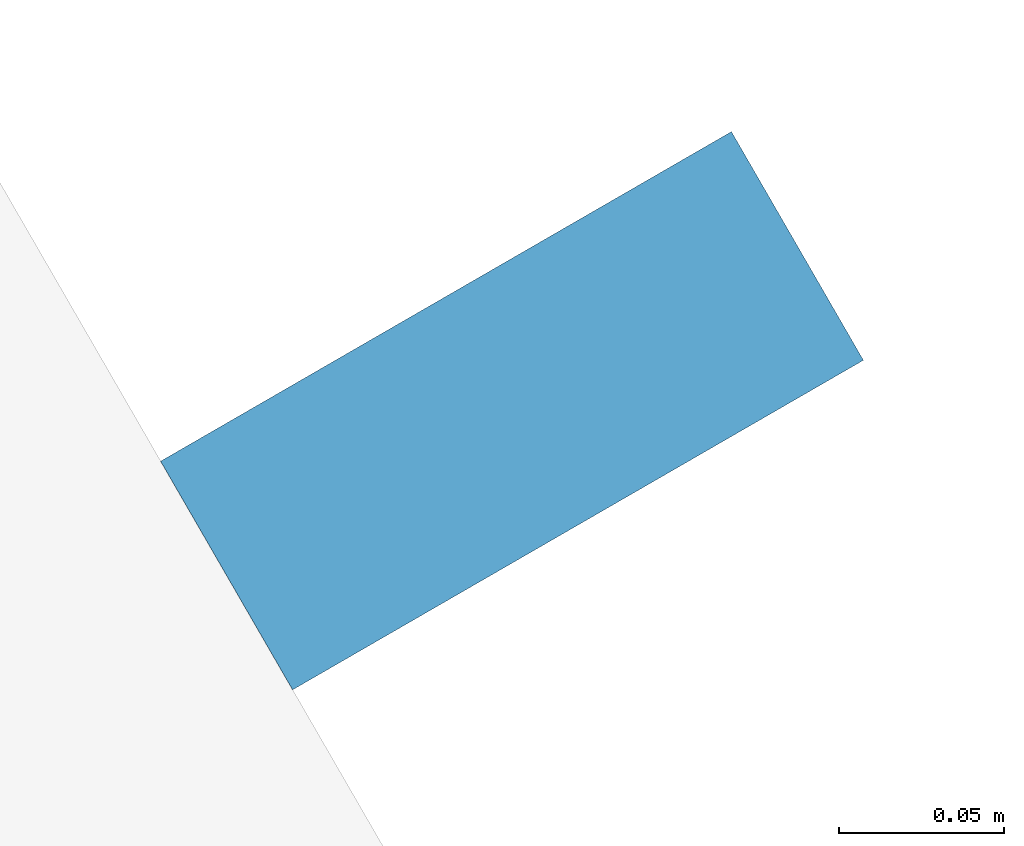
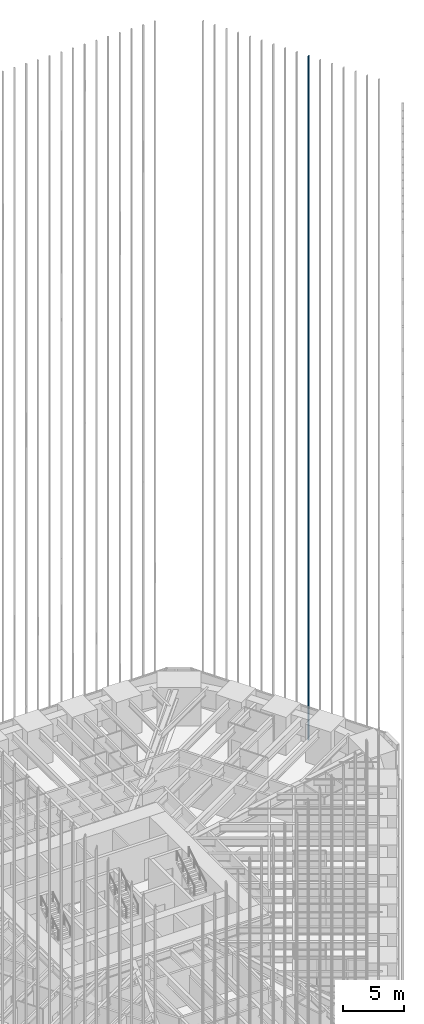
# One storey, part 208 of 256: 1 member, 1 element without a shape of its own.
"""IFC4 building model written with IfcOpenShell, lengths in metres."""

from ifc_helpers import new_model, si_unit, direction, frame, origin, origin_2d, place, context, subcontext, project, spatial, rectangle, extrude, material, material_profile, profile_set, type_object, element, aggregate, save


model = new_model("IFC4")

# Units and contexts
model_context = context("Model", 3, precision=1e-05, world=origin(), true_north=direction((0.0, 1.0)))
body_context = subcontext(model_context, "Body", "Model", "MODEL_VIEW")
ifc_project = project(units=[si_unit("LENGTHUNIT", "METRE"), si_unit("AREAUNIT", "SQUARE_METRE"), si_unit("VOLUMEUNIT", "CUBIC_METRE"), si_unit("PLANEANGLEUNIT", "RADIAN"), si_unit("MASSUNIT", "GRAM", prefix="KILO")], contexts=[model_context])

# Site, building, storey
site_placement = place(None, origin())
site = spatial("IfcSite", under=ifc_project, at=site_placement, CompositionType="ELEMENT")
building_placement = place(site_placement, origin())
building = spatial("IfcBuilding", under=site, at=building_placement, Name="Sandreach Pilgrim Tower", CompositionType="ELEMENT")
storey_placement = place(building_placement, frame((0.0, 0.0, 23.0)))
storey = spatial("IfcBuildingStorey", under=building, at=storey_placement, Name="L04", CompositionType="ELEMENT", Elevation=23.0)

# Curtain wall, member
ifc_material_1 = material(Name="Aluminium framed curtain wall", Category="aluminium")
curtain_wall_type = type_object("IfcCurtainWallType", Name="Hostel tower curtain wall", PredefinedType="NOTDEFINED", material=ifc_material_1)
curtain_wall_placement = place(storey_placement, origin())
curtain_wall = element("IfcCurtainWall", 1, at=curtain_wall_placement, inside=storey, type_object=curtain_wall_type, Name="CW-1 L04 NE", PredefinedType="NOTDEFINED")
ifc_material_2 = material(Name="Extruded terracotta on aluminium core", Category="masonry")
ifc_material_profile = material_profile(ifc_material_2, rectangle(XDim=0.080078125, YDim=0.199951171875, at=origin_2d()), Name="TBE 80X200")
ifc_profile_set = profile_set([ifc_material_profile], Name="Extruded terracotta on aluminium core")
member_type = type_object("IfcMemberType", Name="Terracotta baguette east", PredefinedType="USERDEFINED", material=ifc_profile_set)
member_placement = place(storey_placement, frame((27.166259765625, 13.768310546875, 0.0), z_axis=(0.0, 0.0, 1.0), x_axis=(0.5, -0.866025403784, 0.0)))
member = element("IfcMember", 2, at=member_placement, type_object=member_type, Name="Baguette Z1 NE10", ObjectType="BAGUETTE", PredefinedType="USERDEFINED", context=body_context, shape_type="SweptSolid", body=[
    extrude(rectangle(XDim=0.080078125, YDim=0.199951171875, at=origin_2d()), origin(), (0.0, 0.0, 1.0), 68.239990234375),
])
aggregate(curtain_wall, [member])

save(model, "model.ifc")
